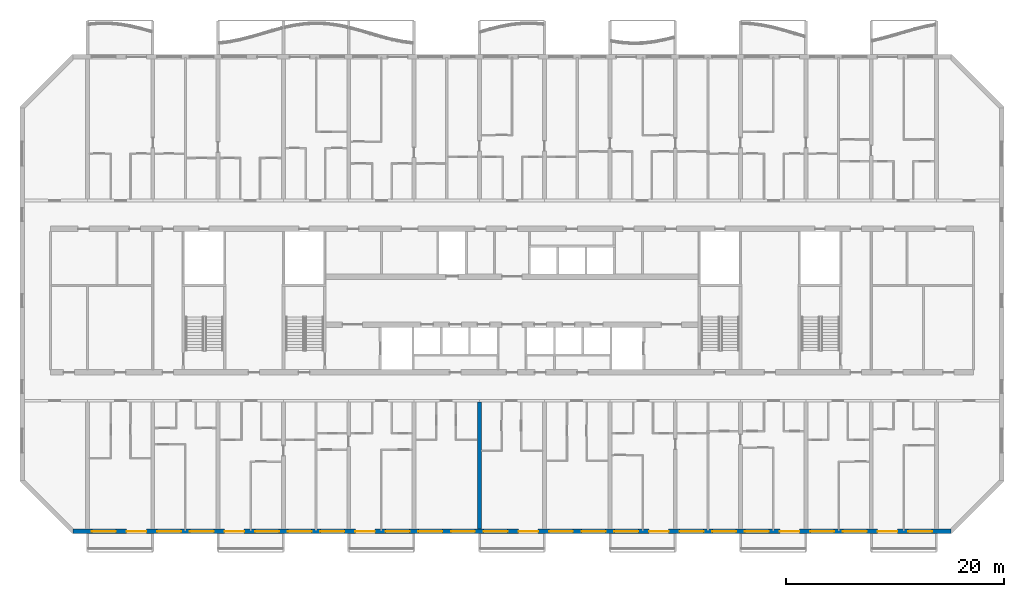
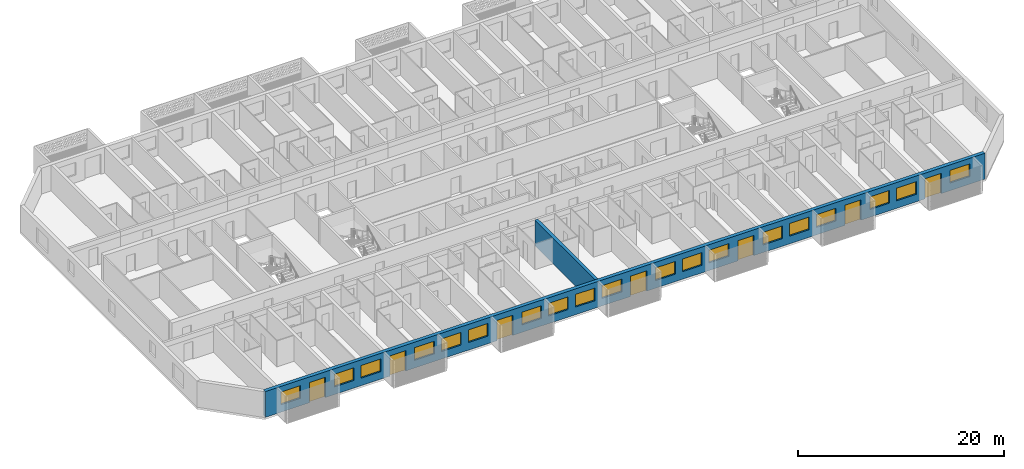
# One storey, part 4 of 29: 19 windows, 7 doors, 2 walls, 26 openings.
"""IFC4 building model written with IfcOpenShell, lengths in metres."""

from ifc_helpers import new_model, si_unit, direction, frame, frame_2d, origin, place, context, subcontext, project, spatial, rectangle, extrude, material, layer, layer_set, type_object, element, fill, save


model = new_model("IFC4")

# Units and contexts
model_context = context("Model", 3, precision=1e-05, world=origin(), true_north=direction((0.0, 1.0)))
body_context = subcontext(model_context, "Body", "Model", "MODEL_VIEW")
ifc_project = project(units=[si_unit("LENGTHUNIT", "METRE"), si_unit("AREAUNIT", "SQUARE_METRE"), si_unit("VOLUMEUNIT", "CUBIC_METRE"), si_unit("PLANEANGLEUNIT", "RADIAN"), si_unit("MASSUNIT", "GRAM", prefix="KILO")], contexts=[model_context])

# Site, building, storey
site_placement = place(None, origin())
site = spatial("IfcSite", under=ifc_project, at=site_placement, CompositionType="ELEMENT")
building_placement = place(site_placement, origin())
building = spatial("IfcBuilding", under=site, at=building_placement, Name="Poui Terraces", CompositionType="ELEMENT")
storey_placement = place(building_placement, frame((0.0, 0.0, 86.10009765625)))
storey = spatial("IfcBuildingStorey", under=building, at=storey_placement, Name="L23", CompositionType="ELEMENT", Elevation=86.10009765625)

# Wall
ifc_material_1 = material(Name="Concrete 65 MPa", Category="concrete")
ifc_layer_1 = layer(ifc_material_1, 0.35009765625)
ifc_layer_set_1 = layer_set([ifc_layer_1], Name="Concrete 65 MPa")
wall_type_1 = type_object("IfcWallType", Name="CROSS WALL 350 65MPa", PredefinedType="SHEAR", material=ifc_layer_set_1)
wall_1_placement = place(storey_placement, frame((48.0, 0.199951171875, 0.0), z_axis=(0.0, 0.0, 1.0), x_axis=(0.0, 1.0, 0.0)))
element("IfcWall", 1, at=wall_1_placement, inside=storey, type_object=wall_type_1, Name="CROSS WALL LINE 9 SOUTH", PredefinedType="SHEAR", context=body_context, shape_type="SweptSolid", body=[
    extrude(rectangle(XDim=11.675048828125, YDim=0.35009765625, at=frame_2d((5.83740234375, 0.0))), origin(), (0.0, 0.0, 1.0), 3.059814453125),
])

# Wall, openings, doors, windows
ifc_material_2 = material(Name="Precast concrete 40 MPa", Category="concrete")
ifc_layer_2 = layer(ifc_material_2, 0.39990234375)
ifc_layer_set_2 = layer_set([ifc_layer_2], Name="Precast concrete 40 MPa")
wall_type_2 = type_object("IfcWallType", Name="EXTERNAL WALL 400", PredefinedType="STANDARD", material=ifc_layer_set_2)
wall_2_placement = place(storey_placement, frame((10.682861328125, 0.0, 0.0), z_axis=(0.0, 0.0, 1.0), x_axis=(1.0, 0.0, 0.0)))
wall_2 = element("IfcWall", 2, at=wall_2_placement, inside=storey, type_object=wall_type_2, Name="EXTERNAL WALL S", PredefinedType="STANDARD", context=body_context, shape_type="SweptSolid", body=[
    extrude(rectangle(XDim=80.63427734375, YDim=0.39990234375, at=frame_2d((40.317138671875, 0.0))), origin(), (0.0, 0.0, 1.0), 3.059814453125),
])
opening_1_placement = place(wall_2_placement, frame((1.71728515625, 0.0, 0.89990234375)))
opening_1 = element("IfcOpeningElement", 3, at=opening_1_placement, cuts=wall_2, Name="Opening W1", PredefinedType="OPENING", context=body_context, shape_type="SweptSolid", body=[
    extrude(rectangle(XDim=2.199951171875, YDim=1.5, at=frame_2d((1.10009765625, 0.75))), frame((0.0, 0.2099609375, 0.0), z_axis=(0.0, -1.0, 0.0), x_axis=(1.0, 0.0, 0.0)), (0.0, 0.0, 1.0), 0.419921875),
])
opening_2_placement = place(wall_2_placement, frame((4.917236328125, 0.0, 0.0)))
opening_2 = element("IfcOpeningElement", 4, at=opening_2_placement, cuts=wall_2, Name="Opening BD1", PredefinedType="OPENING", context=body_context, shape_type="SweptSolid", body=[
    extrude(rectangle(XDim=1.800048828125, YDim=2.39990234375, at=frame_2d((0.89990234375, 1.199951171875))), frame((0.0, 0.2099609375, 0.0), z_axis=(0.0, -1.0, 0.0), x_axis=(1.0, 0.0, 0.0)), (0.0, 0.0, 1.0), 0.419921875),
])
opening_3_placement = place(wall_2_placement, frame((7.71728515625, 0.0, 0.89990234375)))
opening_3 = element("IfcOpeningElement", 5, at=opening_3_placement, cuts=wall_2, Name="Opening W1", PredefinedType="OPENING", context=body_context, shape_type="SweptSolid", body=[
    extrude(rectangle(XDim=2.199951171875, YDim=1.5, at=frame_2d((1.10009765625, 0.75))), frame((0.0, 0.2099609375, 0.0), z_axis=(0.0, -1.0, 0.0), x_axis=(1.0, 0.0, 0.0)), (0.0, 0.0, 1.0), 0.419921875),
])
opening_4_placement = place(wall_2_placement, frame((10.71728515625, 0.0, 0.89990234375)))
opening_4 = element("IfcOpeningElement", 6, at=opening_4_placement, cuts=wall_2, Name="Opening W1", PredefinedType="OPENING", context=body_context, shape_type="SweptSolid", body=[
    extrude(rectangle(XDim=2.199951171875, YDim=1.5, at=frame_2d((1.10009765625, 0.75))), frame((0.0, 0.2099609375, 0.0), z_axis=(0.0, -1.0, 0.0), x_axis=(1.0, 0.0, 0.0)), (0.0, 0.0, 1.0), 0.419921875),
])
opening_5_placement = place(wall_2_placement, frame((13.917236328125, 0.0, 0.0)))
opening_5 = element("IfcOpeningElement", 7, at=opening_5_placement, cuts=wall_2, Name="Opening BD1", PredefinedType="OPENING", context=body_context, shape_type="SweptSolid", body=[
    extrude(rectangle(XDim=1.800048828125, YDim=2.39990234375, at=frame_2d((0.89990234375, 1.199951171875))), frame((0.0, 0.2099609375, 0.0), z_axis=(0.0, -1.0, 0.0), x_axis=(1.0, 0.0, 0.0)), (0.0, 0.0, 1.0), 0.419921875),
])
opening_6_placement = place(wall_2_placement, frame((16.71728515625, 0.0, 0.89990234375)))
opening_6 = element("IfcOpeningElement", 8, at=opening_6_placement, cuts=wall_2, Name="Opening W1", PredefinedType="OPENING", context=body_context, shape_type="SweptSolid", body=[
    extrude(rectangle(XDim=2.199951171875, YDim=1.5, at=frame_2d((1.10009765625, 0.75))), frame((0.0, 0.2099609375, 0.0), z_axis=(0.0, -1.0, 0.0), x_axis=(1.0, 0.0, 0.0)), (0.0, 0.0, 1.0), 0.419921875),
])
opening_7_placement = place(wall_2_placement, frame((19.71728515625, 0.0, 0.89990234375)))
opening_7 = element("IfcOpeningElement", 9, at=opening_7_placement, cuts=wall_2, Name="Opening W1", PredefinedType="OPENING", context=body_context, shape_type="SweptSolid", body=[
    extrude(rectangle(XDim=2.199951171875, YDim=1.5, at=frame_2d((1.10009765625, 0.75))), frame((0.0, 0.2099609375, 0.0), z_axis=(0.0, -1.0, 0.0), x_axis=(1.0, 0.0, 0.0)), (0.0, 0.0, 1.0), 0.419921875),
])
opening_8_placement = place(wall_2_placement, frame((22.71728515625, 0.0, 0.89990234375)))
opening_8 = element("IfcOpeningElement", 10, at=opening_8_placement, cuts=wall_2, Name="Opening W1", PredefinedType="OPENING", context=body_context, shape_type="SweptSolid", body=[
    extrude(rectangle(XDim=2.199951171875, YDim=1.5, at=frame_2d((1.10009765625, 0.75))), frame((0.0, 0.2099609375, 0.0), z_axis=(0.0, -1.0, 0.0), x_axis=(1.0, 0.0, 0.0)), (0.0, 0.0, 1.0), 0.419921875),
])
opening_9_placement = place(wall_2_placement, frame((25.917236328125, 0.0, 0.0)))
opening_9 = element("IfcOpeningElement", 11, at=opening_9_placement, cuts=wall_2, Name="Opening BD1", PredefinedType="OPENING", context=body_context, shape_type="SweptSolid", body=[
    extrude(rectangle(XDim=1.800048828125, YDim=2.39990234375, at=frame_2d((0.89990234375, 1.199951171875))), frame((0.0, 0.2099609375, 0.0), z_axis=(0.0, -1.0, 0.0), x_axis=(1.0, 0.0, 0.0)), (0.0, 0.0, 1.0), 0.419921875),
])
opening_10_placement = place(wall_2_placement, frame((28.71728515625, 0.0, 0.89990234375)))
opening_10 = element("IfcOpeningElement", 12, at=opening_10_placement, cuts=wall_2, Name="Opening W1", PredefinedType="OPENING", context=body_context, shape_type="SweptSolid", body=[
    extrude(rectangle(XDim=2.199951171875, YDim=1.5, at=frame_2d((1.10009765625, 0.75))), frame((0.0, 0.2099609375, 0.0), z_axis=(0.0, -1.0, 0.0), x_axis=(1.0, 0.0, 0.0)), (0.0, 0.0, 1.0), 0.419921875),
])
opening_11_placement = place(wall_2_placement, frame((31.71728515625, 0.0, 0.89990234375)))
opening_11 = element("IfcOpeningElement", 13, at=opening_11_placement, cuts=wall_2, Name="Opening W1", PredefinedType="OPENING", context=body_context, shape_type="SweptSolid", body=[
    extrude(rectangle(XDim=2.199951171875, YDim=1.5, at=frame_2d((1.10009765625, 0.75))), frame((0.0, 0.2099609375, 0.0), z_axis=(0.0, -1.0, 0.0), x_axis=(1.0, 0.0, 0.0)), (0.0, 0.0, 1.0), 0.419921875),
])
opening_12_placement = place(wall_2_placement, frame((34.71728515625, 0.0, 0.89990234375)))
opening_12 = element("IfcOpeningElement", 14, at=opening_12_placement, cuts=wall_2, Name="Opening W1", PredefinedType="OPENING", context=body_context, shape_type="SweptSolid", body=[
    extrude(rectangle(XDim=2.199951171875, YDim=1.5, at=frame_2d((1.10009765625, 0.75))), frame((0.0, 0.2099609375, 0.0), z_axis=(0.0, -1.0, 0.0), x_axis=(1.0, 0.0, 0.0)), (0.0, 0.0, 1.0), 0.419921875),
])
opening_13_placement = place(wall_2_placement, frame((37.71728515625, 0.0, 0.89990234375)))
opening_13 = element("IfcOpeningElement", 15, at=opening_13_placement, cuts=wall_2, Name="Opening W1", PredefinedType="OPENING", context=body_context, shape_type="SweptSolid", body=[
    extrude(rectangle(XDim=2.199951171875, YDim=1.5, at=frame_2d((1.10009765625, 0.75))), frame((0.0, 0.2099609375, 0.0), z_axis=(0.0, -1.0, 0.0), x_axis=(1.0, 0.0, 0.0)), (0.0, 0.0, 1.0), 0.419921875),
])
opening_14_placement = place(wall_2_placement, frame((40.917236328125, 0.0, 0.0)))
opening_14 = element("IfcOpeningElement", 16, at=opening_14_placement, cuts=wall_2, Name="Opening BD1", PredefinedType="OPENING", context=body_context, shape_type="SweptSolid", body=[
    extrude(rectangle(XDim=1.800048828125, YDim=2.39990234375, at=frame_2d((0.89990234375, 1.199951171875))), frame((0.0, 0.2099609375, 0.0), z_axis=(0.0, -1.0, 0.0), x_axis=(1.0, 0.0, 0.0)), (0.0, 0.0, 1.0), 0.419921875),
])
opening_15_placement = place(wall_2_placement, frame((43.71728515625, 0.0, 0.89990234375)))
opening_15 = element("IfcOpeningElement", 17, at=opening_15_placement, cuts=wall_2, Name="Opening W1", PredefinedType="OPENING", context=body_context, shape_type="SweptSolid", body=[
    extrude(rectangle(XDim=2.199951171875, YDim=1.5, at=frame_2d((1.10009765625, 0.75))), frame((0.0, 0.2099609375, 0.0), z_axis=(0.0, -1.0, 0.0), x_axis=(1.0, 0.0, 0.0)), (0.0, 0.0, 1.0), 0.419921875),
])
opening_16_placement = place(wall_2_placement, frame((46.71728515625, 0.0, 0.89990234375)))
opening_16 = element("IfcOpeningElement", 18, at=opening_16_placement, cuts=wall_2, Name="Opening W1", PredefinedType="OPENING", context=body_context, shape_type="SweptSolid", body=[
    extrude(rectangle(XDim=2.199951171875, YDim=1.5, at=frame_2d((1.10009765625, 0.75))), frame((0.0, 0.2099609375, 0.0), z_axis=(0.0, -1.0, 0.0), x_axis=(1.0, 0.0, 0.0)), (0.0, 0.0, 1.0), 0.419921875),
])
opening_17_placement = place(wall_2_placement, frame((49.71728515625, 0.0, 0.89990234375)))
opening_17 = element("IfcOpeningElement", 19, at=opening_17_placement, cuts=wall_2, Name="Opening W1", PredefinedType="OPENING", context=body_context, shape_type="SweptSolid", body=[
    extrude(rectangle(XDim=2.199951171875, YDim=1.5, at=frame_2d((1.10009765625, 0.75))), frame((0.0, 0.2099609375, 0.0), z_axis=(0.0, -1.0, 0.0), x_axis=(1.0, 0.0, 0.0)), (0.0, 0.0, 1.0), 0.419921875),
])
opening_18_placement = place(wall_2_placement, frame((52.917236328125, 0.0, 0.0)))
opening_18 = element("IfcOpeningElement", 20, at=opening_18_placement, cuts=wall_2, Name="Opening BD1", PredefinedType="OPENING", context=body_context, shape_type="SweptSolid", body=[
    extrude(rectangle(XDim=1.800048828125, YDim=2.39990234375, at=frame_2d((0.89990234375, 1.199951171875))), frame((0.0, 0.2099609375, 0.0), z_axis=(0.0, -1.0, 0.0), x_axis=(1.0, 0.0, 0.0)), (0.0, 0.0, 1.0), 0.419921875),
])
opening_19_placement = place(wall_2_placement, frame((55.71728515625, 0.0, 0.89990234375)))
opening_19 = element("IfcOpeningElement", 21, at=opening_19_placement, cuts=wall_2, Name="Opening W1", PredefinedType="OPENING", context=body_context, shape_type="SweptSolid", body=[
    extrude(rectangle(XDim=2.199951171875, YDim=1.5, at=frame_2d((1.10009765625, 0.75))), frame((0.0, 0.2099609375, 0.0), z_axis=(0.0, -1.0, 0.0), x_axis=(1.0, 0.0, 0.0)), (0.0, 0.0, 1.0), 0.419921875),
])
opening_20_placement = place(wall_2_placement, frame((58.71728515625, 0.0, 0.89990234375)))
opening_20 = element("IfcOpeningElement", 22, at=opening_20_placement, cuts=wall_2, Name="Opening W1", PredefinedType="OPENING", context=body_context, shape_type="SweptSolid", body=[
    extrude(rectangle(XDim=2.199951171875, YDim=1.5, at=frame_2d((1.10009765625, 0.75))), frame((0.0, 0.2099609375, 0.0), z_axis=(0.0, -1.0, 0.0), x_axis=(1.0, 0.0, 0.0)), (0.0, 0.0, 1.0), 0.419921875),
])
opening_21_placement = place(wall_2_placement, frame((61.71728515625, 0.0, 0.89990234375)))
opening_21 = element("IfcOpeningElement", 23, at=opening_21_placement, cuts=wall_2, Name="Opening W1", PredefinedType="OPENING", context=body_context, shape_type="SweptSolid", body=[
    extrude(rectangle(XDim=2.199951171875, YDim=1.5, at=frame_2d((1.10009765625, 0.75))), frame((0.0, 0.2099609375, 0.0), z_axis=(0.0, -1.0, 0.0), x_axis=(1.0, 0.0, 0.0)), (0.0, 0.0, 1.0), 0.419921875),
])
opening_22_placement = place(wall_2_placement, frame((64.917236328125, 0.0, 0.0)))
opening_22 = element("IfcOpeningElement", 24, at=opening_22_placement, cuts=wall_2, Name="Opening BD1", PredefinedType="OPENING", context=body_context, shape_type="SweptSolid", body=[
    extrude(rectangle(XDim=1.800048828125, YDim=2.39990234375, at=frame_2d((0.89990234375, 1.199951171875))), frame((0.0, 0.2099609375, 0.0), z_axis=(0.0, -1.0, 0.0), x_axis=(1.0, 0.0, 0.0)), (0.0, 0.0, 1.0), 0.419921875),
])
opening_23_placement = place(wall_2_placement, frame((67.71728515625, 0.0, 0.89990234375)))
opening_23 = element("IfcOpeningElement", 25, at=opening_23_placement, cuts=wall_2, Name="Opening W1", PredefinedType="OPENING", context=body_context, shape_type="SweptSolid", body=[
    extrude(rectangle(XDim=2.199951171875, YDim=1.5, at=frame_2d((1.10009765625, 0.75))), frame((0.0, 0.2099609375, 0.0), z_axis=(0.0, -1.0, 0.0), x_axis=(1.0, 0.0, 0.0)), (0.0, 0.0, 1.0), 0.419921875),
])
opening_24_placement = place(wall_2_placement, frame((70.71728515625, 0.0, 0.89990234375)))
opening_24 = element("IfcOpeningElement", 26, at=opening_24_placement, cuts=wall_2, Name="Opening W1", PredefinedType="OPENING", context=body_context, shape_type="SweptSolid", body=[
    extrude(rectangle(XDim=2.199951171875, YDim=1.5, at=frame_2d((1.10009765625, 0.75))), frame((0.0, 0.2099609375, 0.0), z_axis=(0.0, -1.0, 0.0), x_axis=(1.0, 0.0, 0.0)), (0.0, 0.0, 1.0), 0.419921875),
])
opening_25_placement = place(wall_2_placement, frame((73.917236328125, 0.0, 0.0)))
opening_25 = element("IfcOpeningElement", 27, at=opening_25_placement, cuts=wall_2, Name="Opening BD1", PredefinedType="OPENING", context=body_context, shape_type="SweptSolid", body=[
    extrude(rectangle(XDim=1.800048828125, YDim=2.39990234375, at=frame_2d((0.89990234375, 1.199951171875))), frame((0.0, 0.2099609375, 0.0), z_axis=(0.0, -1.0, 0.0), x_axis=(1.0, 0.0, 0.0)), (0.0, 0.0, 1.0), 0.419921875),
])
opening_26_placement = place(wall_2_placement, frame((76.71728515625, 0.0, 0.89990234375)))
opening_26 = element("IfcOpeningElement", 28, at=opening_26_placement, cuts=wall_2, Name="Opening W1", PredefinedType="OPENING", context=body_context, shape_type="SweptSolid", body=[
    extrude(rectangle(XDim=2.199951171875, YDim=1.5, at=frame_2d((1.10009765625, 0.75))), frame((0.0, 0.2099609375, 0.0), z_axis=(0.0, -1.0, 0.0), x_axis=(1.0, 0.0, 0.0)), (0.0, 0.0, 1.0), 0.419921875),
])
ifc_material_3 = material(Name="Clear glass in aluminium frame", Category="aluminium")
door_type = type_object("IfcDoorType", Name="BALCONY DOOR 1800X2400", OperationType="DOUBLE_DOOR_SLIDING", PredefinedType="DOOR", material=ifc_material_3)
door_1_placement = place(opening_2_placement, origin())
door_1 = element("IfcDoor", 29, at=door_1_placement, inside=storey, type_object=door_type, Name="BD1 BALCONY DOOR", OperationType="DOUBLE_DOOR_SLIDING", OverallHeight=2.39990234375, OverallWidth=1.800048828125, PredefinedType="DOOR", context=body_context, shape_type="SweptSolid", body=[
    extrude(rectangle(XDim=1.800048828125, YDim=2.39990234375, at=frame_2d((0.89990234375, 1.199951171875))), frame((0.0, 0.02490234375, 0.0), z_axis=(0.0, -1.0, 0.0), x_axis=(1.0, 0.0, 0.0)), (0.0, 0.0, 1.0), 0.050048828125),
])
fill(opening_2, door_1)
door_2_placement = place(opening_5_placement, origin())
door_2 = element("IfcDoor", 30, at=door_2_placement, inside=storey, type_object=door_type, Name="BD1 BALCONY DOOR", OperationType="DOUBLE_DOOR_SLIDING", OverallHeight=2.39990234375, OverallWidth=1.800048828125, PredefinedType="DOOR", context=body_context, shape_type="SweptSolid", body=[
    extrude(rectangle(XDim=1.800048828125, YDim=2.39990234375, at=frame_2d((0.89990234375, 1.199951171875))), frame((0.0, 0.02490234375, 0.0), z_axis=(0.0, -1.0, 0.0), x_axis=(1.0, 0.0, 0.0)), (0.0, 0.0, 1.0), 0.050048828125),
])
fill(opening_5, door_2)
door_3_placement = place(opening_9_placement, origin())
door_3 = element("IfcDoor", 31, at=door_3_placement, inside=storey, type_object=door_type, Name="BD1 BALCONY DOOR", OperationType="DOUBLE_DOOR_SLIDING", OverallHeight=2.39990234375, OverallWidth=1.800048828125, PredefinedType="DOOR", context=body_context, shape_type="SweptSolid", body=[
    extrude(rectangle(XDim=1.800048828125, YDim=2.39990234375, at=frame_2d((0.89990234375, 1.199951171875))), frame((0.0, 0.02490234375, 0.0), z_axis=(0.0, -1.0, 0.0), x_axis=(1.0, 0.0, 0.0)), (0.0, 0.0, 1.0), 0.050048828125),
])
fill(opening_9, door_3)
door_4_placement = place(opening_14_placement, origin())
door_4 = element("IfcDoor", 32, at=door_4_placement, inside=storey, type_object=door_type, Name="BD1 BALCONY DOOR", OperationType="DOUBLE_DOOR_SLIDING", OverallHeight=2.39990234375, OverallWidth=1.800048828125, PredefinedType="DOOR", context=body_context, shape_type="SweptSolid", body=[
    extrude(rectangle(XDim=1.800048828125, YDim=2.39990234375, at=frame_2d((0.89990234375, 1.199951171875))), frame((0.0, 0.02490234375, 0.0), z_axis=(0.0, -1.0, 0.0), x_axis=(1.0, 0.0, 0.0)), (0.0, 0.0, 1.0), 0.050048828125),
])
fill(opening_14, door_4)
door_5_placement = place(opening_18_placement, origin())
door_5 = element("IfcDoor", 33, at=door_5_placement, inside=storey, type_object=door_type, Name="BD1 BALCONY DOOR", OperationType="DOUBLE_DOOR_SLIDING", OverallHeight=2.39990234375, OverallWidth=1.800048828125, PredefinedType="DOOR", context=body_context, shape_type="SweptSolid", body=[
    extrude(rectangle(XDim=1.800048828125, YDim=2.39990234375, at=frame_2d((0.89990234375, 1.199951171875))), frame((0.0, 0.02490234375, 0.0), z_axis=(0.0, -1.0, 0.0), x_axis=(1.0, 0.0, 0.0)), (0.0, 0.0, 1.0), 0.050048828125),
])
fill(opening_18, door_5)
door_6_placement = place(opening_22_placement, origin())
door_6 = element("IfcDoor", 34, at=door_6_placement, inside=storey, type_object=door_type, Name="BD1 BALCONY DOOR", OperationType="DOUBLE_DOOR_SLIDING", OverallHeight=2.39990234375, OverallWidth=1.800048828125, PredefinedType="DOOR", context=body_context, shape_type="SweptSolid", body=[
    extrude(rectangle(XDim=1.800048828125, YDim=2.39990234375, at=frame_2d((0.89990234375, 1.199951171875))), frame((0.0, 0.02490234375, 0.0), z_axis=(0.0, -1.0, 0.0), x_axis=(1.0, 0.0, 0.0)), (0.0, 0.0, 1.0), 0.050048828125),
])
fill(opening_22, door_6)
door_7_placement = place(opening_25_placement, origin())
door_7 = element("IfcDoor", 35, at=door_7_placement, inside=storey, type_object=door_type, Name="BD1 BALCONY DOOR", OperationType="DOUBLE_DOOR_SLIDING", OverallHeight=2.39990234375, OverallWidth=1.800048828125, PredefinedType="DOOR", context=body_context, shape_type="SweptSolid", body=[
    extrude(rectangle(XDim=1.800048828125, YDim=2.39990234375, at=frame_2d((0.89990234375, 1.199951171875))), frame((0.0, 0.02490234375, 0.0), z_axis=(0.0, -1.0, 0.0), x_axis=(1.0, 0.0, 0.0)), (0.0, 0.0, 1.0), 0.050048828125),
])
fill(opening_25, door_7)
window_type = type_object("IfcWindowType", Name="WINDOW 2200X1500", PartitioningType="DOUBLE_PANEL_HORIZONTAL", PredefinedType="WINDOW", material=ifc_material_3)
window_1_placement = place(opening_1_placement, origin())
window_1 = element("IfcWindow", 36, at=window_1_placement, inside=storey, type_object=window_type, Name="W1 WINDOW", OverallHeight=1.5, OverallWidth=2.199951171875, PartitioningType="DOUBLE_PANEL_HORIZONTAL", PredefinedType="WINDOW", context=body_context, shape_type="SweptSolid", body=[
    extrude(rectangle(XDim=2.199951171875, YDim=1.5, at=frame_2d((1.10009765625, 0.75))), frame((0.0, 0.030029296875, 0.0), z_axis=(0.0, -1.0, 0.0), x_axis=(1.0, 0.0, 0.0)), (0.0, 0.0, 1.0), 0.06005859375),
])
fill(opening_1, window_1)
window_2_placement = place(opening_3_placement, origin())
window_2 = element("IfcWindow", 37, at=window_2_placement, inside=storey, type_object=window_type, Name="W1 WINDOW", OverallHeight=1.5, OverallWidth=2.199951171875, PartitioningType="DOUBLE_PANEL_HORIZONTAL", PredefinedType="WINDOW", context=body_context, shape_type="SweptSolid", body=[
    extrude(rectangle(XDim=2.199951171875, YDim=1.5, at=frame_2d((1.10009765625, 0.75))), frame((0.0, 0.030029296875, 0.0), z_axis=(0.0, -1.0, 0.0), x_axis=(1.0, 0.0, 0.0)), (0.0, 0.0, 1.0), 0.06005859375),
])
fill(opening_3, window_2)
window_3_placement = place(opening_4_placement, origin())
window_3 = element("IfcWindow", 38, at=window_3_placement, inside=storey, type_object=window_type, Name="W1 WINDOW", OverallHeight=1.5, OverallWidth=2.199951171875, PartitioningType="DOUBLE_PANEL_HORIZONTAL", PredefinedType="WINDOW", context=body_context, shape_type="SweptSolid", body=[
    extrude(rectangle(XDim=2.199951171875, YDim=1.5, at=frame_2d((1.10009765625, 0.75))), frame((0.0, 0.030029296875, 0.0), z_axis=(0.0, -1.0, 0.0), x_axis=(1.0, 0.0, 0.0)), (0.0, 0.0, 1.0), 0.06005859375),
])
fill(opening_4, window_3)
window_4_placement = place(opening_6_placement, origin())
window_4 = element("IfcWindow", 39, at=window_4_placement, inside=storey, type_object=window_type, Name="W1 WINDOW", OverallHeight=1.5, OverallWidth=2.199951171875, PartitioningType="DOUBLE_PANEL_HORIZONTAL", PredefinedType="WINDOW", context=body_context, shape_type="SweptSolid", body=[
    extrude(rectangle(XDim=2.199951171875, YDim=1.5, at=frame_2d((1.10009765625, 0.75))), frame((0.0, 0.030029296875, 0.0), z_axis=(0.0, -1.0, 0.0), x_axis=(1.0, 0.0, 0.0)), (0.0, 0.0, 1.0), 0.06005859375),
])
fill(opening_6, window_4)
window_5_placement = place(opening_7_placement, origin())
window_5 = element("IfcWindow", 40, at=window_5_placement, inside=storey, type_object=window_type, Name="W1 WINDOW", OverallHeight=1.5, OverallWidth=2.199951171875, PartitioningType="DOUBLE_PANEL_HORIZONTAL", PredefinedType="WINDOW", context=body_context, shape_type="SweptSolid", body=[
    extrude(rectangle(XDim=2.199951171875, YDim=1.5, at=frame_2d((1.10009765625, 0.75))), frame((0.0, 0.030029296875, 0.0), z_axis=(0.0, -1.0, 0.0), x_axis=(1.0, 0.0, 0.0)), (0.0, 0.0, 1.0), 0.06005859375),
])
fill(opening_7, window_5)
window_6_placement = place(opening_8_placement, origin())
window_6 = element("IfcWindow", 41, at=window_6_placement, inside=storey, type_object=window_type, Name="W1 WINDOW", OverallHeight=1.5, OverallWidth=2.199951171875, PartitioningType="DOUBLE_PANEL_HORIZONTAL", PredefinedType="WINDOW", context=body_context, shape_type="SweptSolid", body=[
    extrude(rectangle(XDim=2.199951171875, YDim=1.5, at=frame_2d((1.10009765625, 0.75))), frame((0.0, 0.030029296875, 0.0), z_axis=(0.0, -1.0, 0.0), x_axis=(1.0, 0.0, 0.0)), (0.0, 0.0, 1.0), 0.06005859375),
])
fill(opening_8, window_6)
window_7_placement = place(opening_10_placement, origin())
window_7 = element("IfcWindow", 42, at=window_7_placement, inside=storey, type_object=window_type, Name="W1 WINDOW", OverallHeight=1.5, OverallWidth=2.199951171875, PartitioningType="DOUBLE_PANEL_HORIZONTAL", PredefinedType="WINDOW", context=body_context, shape_type="SweptSolid", body=[
    extrude(rectangle(XDim=2.199951171875, YDim=1.5, at=frame_2d((1.10009765625, 0.75))), frame((0.0, 0.030029296875, 0.0), z_axis=(0.0, -1.0, 0.0), x_axis=(1.0, 0.0, 0.0)), (0.0, 0.0, 1.0), 0.06005859375),
])
fill(opening_10, window_7)
window_8_placement = place(opening_11_placement, origin())
window_8 = element("IfcWindow", 43, at=window_8_placement, inside=storey, type_object=window_type, Name="W1 WINDOW", OverallHeight=1.5, OverallWidth=2.199951171875, PartitioningType="DOUBLE_PANEL_HORIZONTAL", PredefinedType="WINDOW", context=body_context, shape_type="SweptSolid", body=[
    extrude(rectangle(XDim=2.199951171875, YDim=1.5, at=frame_2d((1.10009765625, 0.75))), frame((0.0, 0.030029296875, 0.0), z_axis=(0.0, -1.0, 0.0), x_axis=(1.0, 0.0, 0.0)), (0.0, 0.0, 1.0), 0.06005859375),
])
fill(opening_11, window_8)
window_9_placement = place(opening_12_placement, origin())
window_9 = element("IfcWindow", 44, at=window_9_placement, inside=storey, type_object=window_type, Name="W1 WINDOW", OverallHeight=1.5, OverallWidth=2.199951171875, PartitioningType="DOUBLE_PANEL_HORIZONTAL", PredefinedType="WINDOW", context=body_context, shape_type="SweptSolid", body=[
    extrude(rectangle(XDim=2.199951171875, YDim=1.5, at=frame_2d((1.10009765625, 0.75))), frame((0.0, 0.030029296875, 0.0), z_axis=(0.0, -1.0, 0.0), x_axis=(1.0, 0.0, 0.0)), (0.0, 0.0, 1.0), 0.06005859375),
])
fill(opening_12, window_9)
window_10_placement = place(opening_13_placement, origin())
window_10 = element("IfcWindow", 45, at=window_10_placement, inside=storey, type_object=window_type, Name="W1 WINDOW", OverallHeight=1.5, OverallWidth=2.199951171875, PartitioningType="DOUBLE_PANEL_HORIZONTAL", PredefinedType="WINDOW", context=body_context, shape_type="SweptSolid", body=[
    extrude(rectangle(XDim=2.199951171875, YDim=1.5, at=frame_2d((1.10009765625, 0.75))), frame((0.0, 0.030029296875, 0.0), z_axis=(0.0, -1.0, 0.0), x_axis=(1.0, 0.0, 0.0)), (0.0, 0.0, 1.0), 0.06005859375),
])
fill(opening_13, window_10)
window_11_placement = place(opening_15_placement, origin())
window_11 = element("IfcWindow", 46, at=window_11_placement, inside=storey, type_object=window_type, Name="W1 WINDOW", OverallHeight=1.5, OverallWidth=2.199951171875, PartitioningType="DOUBLE_PANEL_HORIZONTAL", PredefinedType="WINDOW", context=body_context, shape_type="SweptSolid", body=[
    extrude(rectangle(XDim=2.199951171875, YDim=1.5, at=frame_2d((1.10009765625, 0.75))), frame((0.0, 0.030029296875, 0.0), z_axis=(0.0, -1.0, 0.0), x_axis=(1.0, 0.0, 0.0)), (0.0, 0.0, 1.0), 0.06005859375),
])
fill(opening_15, window_11)
window_12_placement = place(opening_16_placement, origin())
window_12 = element("IfcWindow", 47, at=window_12_placement, inside=storey, type_object=window_type, Name="W1 WINDOW", OverallHeight=1.5, OverallWidth=2.199951171875, PartitioningType="DOUBLE_PANEL_HORIZONTAL", PredefinedType="WINDOW", context=body_context, shape_type="SweptSolid", body=[
    extrude(rectangle(XDim=2.199951171875, YDim=1.5, at=frame_2d((1.10009765625, 0.75))), frame((0.0, 0.030029296875, 0.0), z_axis=(0.0, -1.0, 0.0), x_axis=(1.0, 0.0, 0.0)), (0.0, 0.0, 1.0), 0.06005859375),
])
fill(opening_16, window_12)
window_13_placement = place(opening_17_placement, origin())
window_13 = element("IfcWindow", 48, at=window_13_placement, inside=storey, type_object=window_type, Name="W1 WINDOW", OverallHeight=1.5, OverallWidth=2.199951171875, PartitioningType="DOUBLE_PANEL_HORIZONTAL", PredefinedType="WINDOW", context=body_context, shape_type="SweptSolid", body=[
    extrude(rectangle(XDim=2.199951171875, YDim=1.5, at=frame_2d((1.10009765625, 0.75))), frame((0.0, 0.030029296875, 0.0), z_axis=(0.0, -1.0, 0.0), x_axis=(1.0, 0.0, 0.0)), (0.0, 0.0, 1.0), 0.06005859375),
])
fill(opening_17, window_13)
window_14_placement = place(opening_19_placement, origin())
window_14 = element("IfcWindow", 49, at=window_14_placement, inside=storey, type_object=window_type, Name="W1 WINDOW", OverallHeight=1.5, OverallWidth=2.199951171875, PartitioningType="DOUBLE_PANEL_HORIZONTAL", PredefinedType="WINDOW", context=body_context, shape_type="SweptSolid", body=[
    extrude(rectangle(XDim=2.199951171875, YDim=1.5, at=frame_2d((1.10009765625, 0.75))), frame((0.0, 0.030029296875, 0.0), z_axis=(0.0, -1.0, 0.0), x_axis=(1.0, 0.0, 0.0)), (0.0, 0.0, 1.0), 0.06005859375),
])
fill(opening_19, window_14)
window_15_placement = place(opening_20_placement, origin())
window_15 = element("IfcWindow", 50, at=window_15_placement, inside=storey, type_object=window_type, Name="W1 WINDOW", OverallHeight=1.5, OverallWidth=2.199951171875, PartitioningType="DOUBLE_PANEL_HORIZONTAL", PredefinedType="WINDOW", context=body_context, shape_type="SweptSolid", body=[
    extrude(rectangle(XDim=2.199951171875, YDim=1.5, at=frame_2d((1.10009765625, 0.75))), frame((0.0, 0.030029296875, 0.0), z_axis=(0.0, -1.0, 0.0), x_axis=(1.0, 0.0, 0.0)), (0.0, 0.0, 1.0), 0.06005859375),
])
fill(opening_20, window_15)
window_16_placement = place(opening_21_placement, origin())
window_16 = element("IfcWindow", 51, at=window_16_placement, inside=storey, type_object=window_type, Name="W1 WINDOW", OverallHeight=1.5, OverallWidth=2.199951171875, PartitioningType="DOUBLE_PANEL_HORIZONTAL", PredefinedType="WINDOW", context=body_context, shape_type="SweptSolid", body=[
    extrude(rectangle(XDim=2.199951171875, YDim=1.5, at=frame_2d((1.10009765625, 0.75))), frame((0.0, 0.030029296875, 0.0), z_axis=(0.0, -1.0, 0.0), x_axis=(1.0, 0.0, 0.0)), (0.0, 0.0, 1.0), 0.06005859375),
])
fill(opening_21, window_16)
window_17_placement = place(opening_23_placement, origin())
window_17 = element("IfcWindow", 52, at=window_17_placement, inside=storey, type_object=window_type, Name="W1 WINDOW", OverallHeight=1.5, OverallWidth=2.199951171875, PartitioningType="DOUBLE_PANEL_HORIZONTAL", PredefinedType="WINDOW", context=body_context, shape_type="SweptSolid", body=[
    extrude(rectangle(XDim=2.199951171875, YDim=1.5, at=frame_2d((1.10009765625, 0.75))), frame((0.0, 0.030029296875, 0.0), z_axis=(0.0, -1.0, 0.0), x_axis=(1.0, 0.0, 0.0)), (0.0, 0.0, 1.0), 0.06005859375),
])
fill(opening_23, window_17)
window_18_placement = place(opening_24_placement, origin())
window_18 = element("IfcWindow", 53, at=window_18_placement, inside=storey, type_object=window_type, Name="W1 WINDOW", OverallHeight=1.5, OverallWidth=2.199951171875, PartitioningType="DOUBLE_PANEL_HORIZONTAL", PredefinedType="WINDOW", context=body_context, shape_type="SweptSolid", body=[
    extrude(rectangle(XDim=2.199951171875, YDim=1.5, at=frame_2d((1.10009765625, 0.75))), frame((0.0, 0.030029296875, 0.0), z_axis=(0.0, -1.0, 0.0), x_axis=(1.0, 0.0, 0.0)), (0.0, 0.0, 1.0), 0.06005859375),
])
fill(opening_24, window_18)
window_19_placement = place(opening_26_placement, origin())
window_19 = element("IfcWindow", 54, at=window_19_placement, inside=storey, type_object=window_type, Name="W1 WINDOW", OverallHeight=1.5, OverallWidth=2.199951171875, PartitioningType="DOUBLE_PANEL_HORIZONTAL", PredefinedType="WINDOW", context=body_context, shape_type="SweptSolid", body=[
    extrude(rectangle(XDim=2.199951171875, YDim=1.5, at=frame_2d((1.10009765625, 0.75))), frame((0.0, 0.030029296875, 0.0), z_axis=(0.0, -1.0, 0.0), x_axis=(1.0, 0.0, 0.0)), (0.0, 0.0, 1.0), 0.06005859375),
])
fill(opening_26, window_19)

save(model, "model.ifc")
